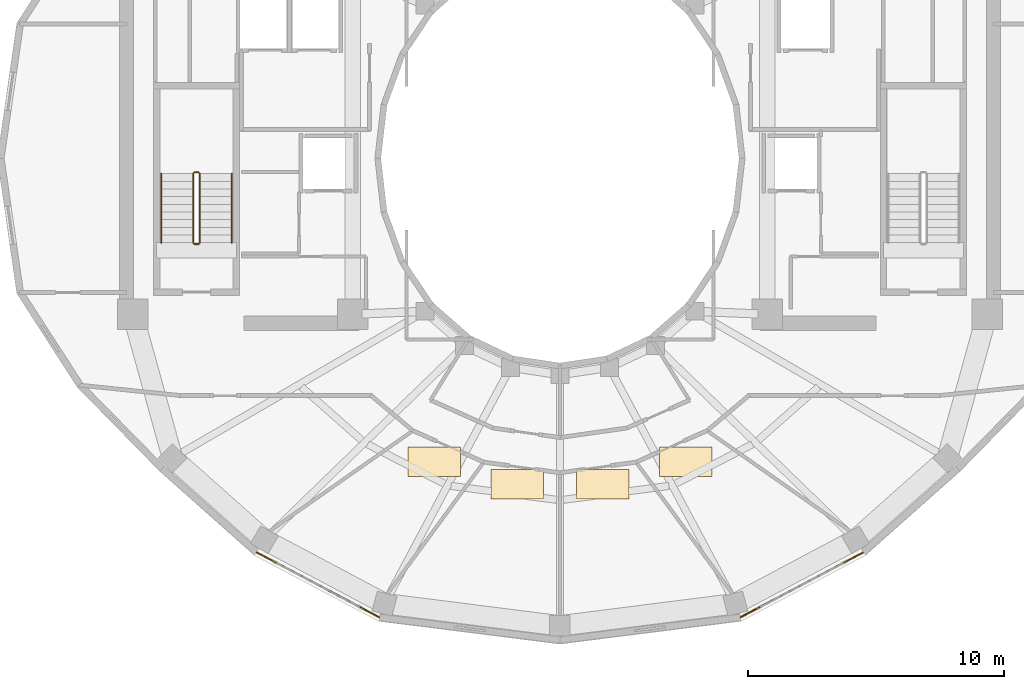
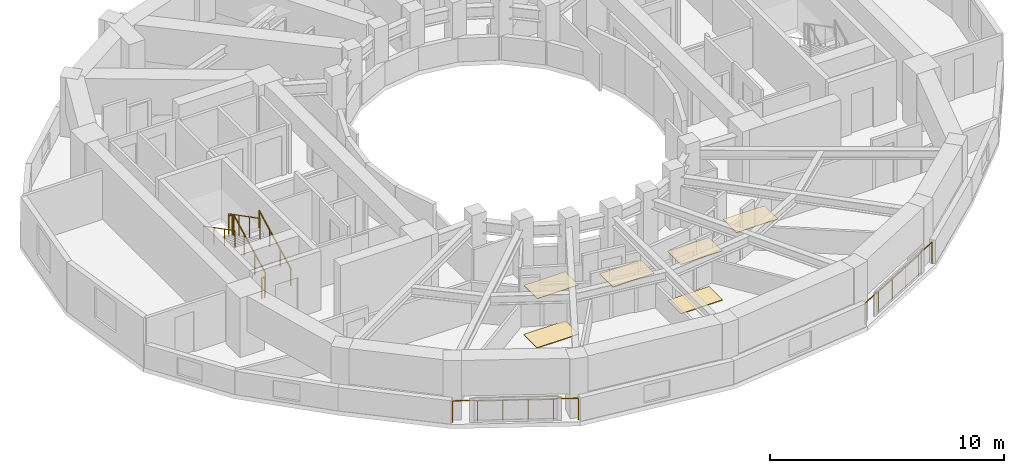
# One storey, part 16 of 17: 8 railings, 6 coverings.
"""IFC4 building model written with IfcOpenShell, lengths in metres."""

from ifc_helpers import new_model, si_unit, direction, frame, origin, origin_2d, place, context, subcontext, project, spatial, polyline, circle, outline, extrude, material, layer, layer_set, type_object, element, save


model = new_model("IFC4")

# Units and contexts
model_context = context("Model", 3, precision=1e-05, world=origin(), true_north=direction((0.0, 1.0)))
body_context = subcontext(model_context, "Body", "Model", "MODEL_VIEW")
ifc_project = project(units=[si_unit("LENGTHUNIT", "METRE"), si_unit("AREAUNIT", "SQUARE_METRE"), si_unit("VOLUMEUNIT", "CUBIC_METRE"), si_unit("PLANEANGLEUNIT", "RADIAN"), si_unit("MASSUNIT", "GRAM", prefix="KILO")], contexts=[model_context])

# Site, building, storey
site_placement = place(None, origin())
site = spatial("IfcSite", under=ifc_project, at=site_placement, CompositionType="ELEMENT")
building_placement = place(site_placement, origin())
building = spatial("IfcBuilding", under=site, at=building_placement, Name="Solvane Sanctuary Tower", CompositionType="ELEMENT")
storey_placement = place(building_placement, frame((0.0, 0.0, 235.699951171875)))
storey = spatial("IfcBuildingStorey", under=building, at=storey_placement, Name="L72", CompositionType="ELEMENT", Elevation=235.699951171875)

# Coverings
ifc_material_1 = material(Name="Acoustic Gypsum Partition Board")
ifc_layer_1 = layer(ifc_material_1, 0.02490234375, Name="Acoustic Gypsum Partition Board")
ifc_layer_set_1 = layer_set([ifc_layer_1], Name="Acoustic Gypsum Partition Board")
covering_type_1 = type_object("IfcCoveringType", Name="Covering CLG-ACOUST", PredefinedType="CEILING", material=ifc_layer_set_1)
covering_1_placement = place(storey_placement, frame((0.0, 0.0, 2.570068359375)))
element("IfcCovering", 1, at=covering_1_placement, inside=storey, type_object=covering_type_1, Name="L72 Unit Acoustic Ceiling Panel 5", PredefinedType="CEILING", context=body_context, shape_type="SweptSolid", body=[
    extrude(outline(polyline([(26.05810546875, 10.552978515625), (28.10791015625, 10.552978515625), (28.10791015625, 11.702880859375), (26.05810546875, 11.702880859375), (26.05810546875, 10.552978515625)])), origin(), (0.0, 0.0, 1.0), 0.030029296875),
])
covering_2_placement = place(storey_placement, frame((0.0, 0.0, 2.570068359375)))
element("IfcCovering", 2, at=covering_2_placement, inside=storey, type_object=covering_type_1, Name="L72 Unit Acoustic Ceiling Panel 6", PredefinedType="CEILING", context=body_context, shape_type="SweptSolid", body=[
    extrude(outline(polyline([(29.298095703125, 9.68505859375), (31.347900390625, 9.68505859375), (31.347900390625, 10.8349609375), (29.298095703125, 10.8349609375), (29.298095703125, 9.68505859375)])), origin(), (0.0, 0.0, 1.0), 0.030029296875),
])
covering_3_placement = place(storey_placement, frame((0.0, 0.0, 2.570068359375)))
element("IfcCovering", 3, at=covering_3_placement, inside=storey, type_object=covering_type_1, Name="L72 Unit Acoustic Ceiling Panel 7", PredefinedType="CEILING", context=body_context, shape_type="SweptSolid", body=[
    extrude(outline(polyline([(32.652099609375, 9.68505859375), (34.701904296875, 9.68505859375), (34.701904296875, 10.8349609375), (32.652099609375, 10.8349609375), (32.652099609375, 9.68505859375)])), origin(), (0.0, 0.0, 1.0), 0.030029296875),
])
covering_4_placement = place(storey_placement, frame((0.0, 0.0, 2.570068359375)))
element("IfcCovering", 4, at=covering_4_placement, inside=storey, type_object=covering_type_1, Name="L72 Unit Acoustic Ceiling Panel 8", PredefinedType="CEILING", context=body_context, shape_type="SweptSolid", body=[
    extrude(outline(polyline([(35.89208984375, 10.552978515625), (37.94189453125, 10.552978515625), (37.94189453125, 11.702880859375), (35.89208984375, 11.702880859375), (35.89208984375, 10.552978515625)])), origin(), (0.0, 0.0, 1.0), 0.030029296875),
])
ifc_material_2 = material(Name="Ceramic Tile Finish")
ifc_layer_2 = layer(ifc_material_2, 0.030029296875, Name="Ceramic Tile Finish")
ifc_layer_set_2 = layer_set([ifc_layer_2], Name="Ceramic Tile Finish")
covering_type_2 = type_object("IfcCoveringType", Name="Covering FLR-TERRAZZO", PredefinedType="FLOORING", material=ifc_layer_set_2)
covering_5_placement = place(storey_placement, origin())
element("IfcCovering", 5, at=covering_5_placement, inside=storey, type_object=covering_type_2, Name="L72 Unit Terrazzo Inlay 5", PredefinedType="FLOORING", context=body_context, shape_type="SweptSolid", body=[
    extrude(outline(polyline([(26.05810546875, 10.552978515625), (28.10791015625, 10.552978515625), (28.10791015625, 11.702880859375), (26.05810546875, 11.702880859375), (26.05810546875, 10.552978515625)])), origin(), (0.0, 0.0, 1.0), 0.03515625),
])
covering_6_placement = place(storey_placement, origin())
element("IfcCovering", 6, at=covering_6_placement, inside=storey, type_object=covering_type_2, Name="L72 Unit Terrazzo Inlay 7", PredefinedType="FLOORING", context=body_context, shape_type="SweptSolid", body=[
    extrude(outline(polyline([(32.652099609375, 9.68505859375), (34.701904296875, 9.68505859375), (34.701904296875, 10.8349609375), (32.652099609375, 10.8349609375), (32.652099609375, 9.68505859375)])), origin(), (0.0, 0.0, 1.0), 0.03515625),
])

# Railings
ifc_material_3 = material(Name="Architectural Stainless Steel 316", Category="steel")
railing_type_1 = type_object("IfcRailingType", Name="Railing GR-BALC-1150", PredefinedType="BALUSTRADE", material=ifc_material_3)
railing_1_placement = place(storey_placement, frame((20.156494140625, 7.5869140625, 0.0)))
element("IfcRailing", 7, at=railing_1_placement, inside=storey, type_object=railing_type_1, Name="L72 Curtain-Wall Perimeter Sill Guard 16", PredefinedType="BALUSTRADE", context=body_context, shape_type="SweptSolid", body=[
    extrude(circle(Radius=0.02392578125, at=origin_2d()), frame((0.0, 0.0, 1.1259765625), z_axis=(0.883976980304, -0.467530424992, 0.0), x_axis=(0.467530424992, 0.883976980304, 0.0)), (0.0, 0.0, 1.0), 5.400390625),
    extrude(circle(Radius=0.02099609375, at=origin_2d()), origin(), (0.0, 0.0, 1.0), 1.101806640625),
    extrude(circle(Radius=0.02099609375, at=origin_2d()), frame((0.954833984375, -0.5048828125, 0.0)), (0.0, 0.0, 1.0), 1.101806640625),
    extrude(circle(Radius=0.02099609375, at=origin_2d()), frame((1.90966796875, -1.010009765625, 0.0)), (0.0, 0.0, 1.0), 1.101806640625),
    extrude(circle(Radius=0.02099609375, at=origin_2d()), frame((2.8642578125, -1.514892578125, 0.0)), (0.0, 0.0, 1.0), 1.101806640625),
    extrude(circle(Radius=0.02099609375, at=origin_2d()), frame((3.819091796875, -2.02001953125, 0.0)), (0.0, 0.0, 1.0), 1.101806640625),
    extrude(circle(Radius=0.02099609375, at=origin_2d()), frame((4.77392578125, -2.52490234375, 0.0)), (0.0, 0.0, 1.0), 1.101806640625),
])
railing_2_placement = place(storey_placement, frame((39.069580078125, 5.06201171875, 0.0)))
element("IfcRailing", 8, at=railing_2_placement, inside=storey, type_object=railing_type_1, Name="L72 Curtain-Wall Perimeter Sill Guard 19", PredefinedType="BALUSTRADE", context=body_context, shape_type="SweptSolid", body=[
    extrude(circle(Radius=0.02392578125, at=origin_2d()), frame((0.0, 0.0, 1.1259765625), z_axis=(0.883976980304, 0.467530424992, 0.0), x_axis=(-0.467530424992, 0.883976980304, 0.0)), (0.0, 0.0, 1.0), 5.400390625),
    extrude(circle(Radius=0.02099609375, at=origin_2d()), origin(), (0.0, 0.0, 1.0), 1.101806640625),
    extrude(circle(Radius=0.02099609375, at=origin_2d()), frame((0.954833984375, 0.5048828125, 0.0)), (0.0, 0.0, 1.0), 1.101806640625),
    extrude(circle(Radius=0.02099609375, at=origin_2d()), frame((1.90966796875, 1.010009765625, 0.0)), (0.0, 0.0, 1.0), 1.101806640625),
    extrude(circle(Radius=0.02099609375, at=origin_2d()), frame((2.8642578125, 1.514892578125, 0.0)), (0.0, 0.0, 1.0), 1.101806640625),
    extrude(circle(Radius=0.02099609375, at=origin_2d()), frame((3.819091796875, 2.02001953125, 0.0)), (0.0, 0.0, 1.0), 1.101806640625),
    extrude(circle(Radius=0.02099609375, at=origin_2d()), frame((4.77392578125, 2.52490234375, 0.0)), (0.0, 0.0, 1.0), 1.101806640625),
])
railing_3_placement = place(storey_placement, frame((17.919921875, 19.699951171875, 0.155029296875)))
element("IfcRailing", 9, at=railing_3_placement, inside=storey, type_object=railing_type_1, Name="L72 ST-1 stair guard 1", PredefinedType="BALUSTRADE", context=body_context, shape_type="SweptSolid", body=[
    extrude(circle(Radius=0.02392578125, at=origin_2d()), frame((0.0, 0.0, 1.076171875), z_axis=(0.0, 0.888419900624, 0.459031676658), x_axis=(-1.0, 0.0, 0.0)), (0.0, 0.0, 1.0), 3.0390625),
    extrude(circle(Radius=0.02099609375, at=origin_2d()), origin(), (0.0, 0.0, 1.0), 1.052001953125),
    extrude(circle(Radius=0.02099609375, at=origin_2d()), frame((0.0, 0.89990234375, 0.465087890625)), (0.0, 0.0, 1.0), 1.052001953125),
    extrude(circle(Radius=0.02099609375, at=origin_2d()), frame((0.0, 1.800048828125, 0.929931640625)), (0.0, 0.0, 1.0), 1.052001953125),
    extrude(circle(Radius=0.02099609375, at=origin_2d()), frame((0.0, 2.699951171875, 1.39501953125)), (0.0, 0.0, 1.0), 1.052001953125),
])
railing_4_placement = place(storey_placement, frame((17.8701171875, 22.449951171875, 1.550048828125)))
element("IfcRailing", 10, at=railing_4_placement, inside=storey, type_object=railing_type_1, Name="L72 ST-1 stair guard 2", PredefinedType="BALUSTRADE", context=body_context, shape_type="SweptSolid", body=[
    extrude(circle(Radius=0.02392578125, at=origin_2d()), frame((0.0, 0.0, 1.076171875), z_axis=(-1.0, 0.0, 0.0), x_axis=(0.0, -1.0, 0.0)), (0.0, 0.0, 1.0), 0.16015625),
    extrude(circle(Radius=0.02099609375, at=origin_2d()), origin(), (0.0, 0.0, 1.0), 1.052001953125),
    extrude(circle(Radius=0.02099609375, at=origin_2d()), frame((-0.16015625, 0.0, 0.0)), (0.0, 0.0, 1.0), 1.052001953125),
])
railing_5_placement = place(storey_placement, frame((17.659912109375, 22.39990234375, 1.705078125)))
element("IfcRailing", 11, at=railing_5_placement, inside=storey, type_object=railing_type_1, Name="L72 ST-1 stair guard 3", PredefinedType="BALUSTRADE", context=body_context, shape_type="SweptSolid", body=[
    extrude(circle(Radius=0.02392578125, at=origin_2d()), frame((0.0, 0.0, 1.076171875), z_axis=(0.0, -0.888419900624, 0.459031676658), x_axis=(1.0, 0.0, 0.0)), (0.0, 0.0, 1.0), 3.0390625),
    extrude(circle(Radius=0.02099609375, at=origin_2d()), origin(), (0.0, 0.0, 1.0), 1.052001953125),
    extrude(circle(Radius=0.02099609375, at=origin_2d()), frame((0.0, -0.89990234375, 0.465087890625)), (0.0, 0.0, 1.0), 1.052001953125),
    extrude(circle(Radius=0.02099609375, at=origin_2d()), frame((0.0, -1.800048828125, 0.929931640625)), (0.0, 0.0, 1.0), 1.052001953125),
    extrude(circle(Radius=0.02099609375, at=origin_2d()), frame((0.0, -2.699951171875, 1.39501953125)), (0.0, 0.0, 1.0), 1.052001953125),
])
railing_6_placement = place(storey_placement, frame((17.8701171875, 19.64990234375, 0.0)))
element("IfcRailing", 12, at=railing_6_placement, inside=storey, type_object=railing_type_1, Name="L72 ST-1 stair guard 4", PredefinedType="BALUSTRADE", context=body_context, shape_type="SweptSolid", body=[
    extrude(circle(Radius=0.02392578125, at=origin_2d()), frame((0.0, 0.0, 1.076171875), z_axis=(-1.0, 0.0, 0.0), x_axis=(0.0, -1.0, 0.0)), (0.0, 0.0, 1.0), 0.16015625),
    extrude(circle(Radius=0.02099609375, at=origin_2d()), origin(), (0.0, 0.0, 1.0), 1.052001953125),
    extrude(circle(Radius=0.02099609375, at=origin_2d()), frame((-0.16015625, 0.0, 0.0)), (0.0, 0.0, 1.0), 1.052001953125),
])
railing_type_2 = type_object("IfcRailingType", Name="Railing HR-STAIR-920", PredefinedType="HANDRAIL", material=ifc_material_3)
railing_7_placement = place(storey_placement, frame((19.169921875, 19.699951171875, 0.155029296875)))
element("IfcRailing", 13, at=railing_7_placement, inside=storey, type_object=railing_type_2, Name="L72 ST-1 stair handrail 1", PredefinedType="HANDRAIL", context=body_context, shape_type="SweptSolid", body=[
    extrude(circle(Radius=0.02392578125, at=origin_2d()), frame((0.0, 0.0, 0.8759765625), z_axis=(0.0, 0.888419900624, 0.459031676658), x_axis=(-1.0, 0.0, 0.0)), (0.0, 0.0, 1.0), 3.0390625),
    extrude(circle(Radius=0.02099609375, at=origin_2d()), origin(), (0.0, 0.0, 1.0), 0.851806640625),
    extrude(circle(Radius=0.02099609375, at=origin_2d()), frame((0.0, 0.89990234375, 0.465087890625)), (0.0, 0.0, 1.0), 0.851806640625),
    extrude(circle(Radius=0.02099609375, at=origin_2d()), frame((0.0, 1.800048828125, 0.929931640625)), (0.0, 0.0, 1.0), 0.851806640625),
    extrude(circle(Radius=0.02099609375, at=origin_2d()), frame((0.0, 2.699951171875, 1.39501953125)), (0.0, 0.0, 1.0), 0.851806640625),
])
railing_8_placement = place(storey_placement, frame((16.409912109375, 22.39990234375, 1.705078125)))
element("IfcRailing", 14, at=railing_8_placement, inside=storey, type_object=railing_type_2, Name="L72 ST-1 stair handrail 2", PredefinedType="HANDRAIL", context=body_context, shape_type="SweptSolid", body=[
    extrude(circle(Radius=0.02392578125, at=origin_2d()), frame((0.0, 0.0, 0.8759765625), z_axis=(0.0, -0.888419900624, 0.459031676658), x_axis=(1.0, 0.0, 0.0)), (0.0, 0.0, 1.0), 3.0390625),
    extrude(circle(Radius=0.02099609375, at=origin_2d()), origin(), (0.0, 0.0, 1.0), 0.851806640625),
    extrude(circle(Radius=0.02099609375, at=origin_2d()), frame((0.0, -0.89990234375, 0.465087890625)), (0.0, 0.0, 1.0), 0.851806640625),
    extrude(circle(Radius=0.02099609375, at=origin_2d()), frame((0.0, -1.800048828125, 0.929931640625)), (0.0, 0.0, 1.0), 0.851806640625),
    extrude(circle(Radius=0.02099609375, at=origin_2d()), frame((0.0, -2.699951171875, 1.39501953125)), (0.0, 0.0, 1.0), 0.851806640625),
])

save(model, "model.ifc")
